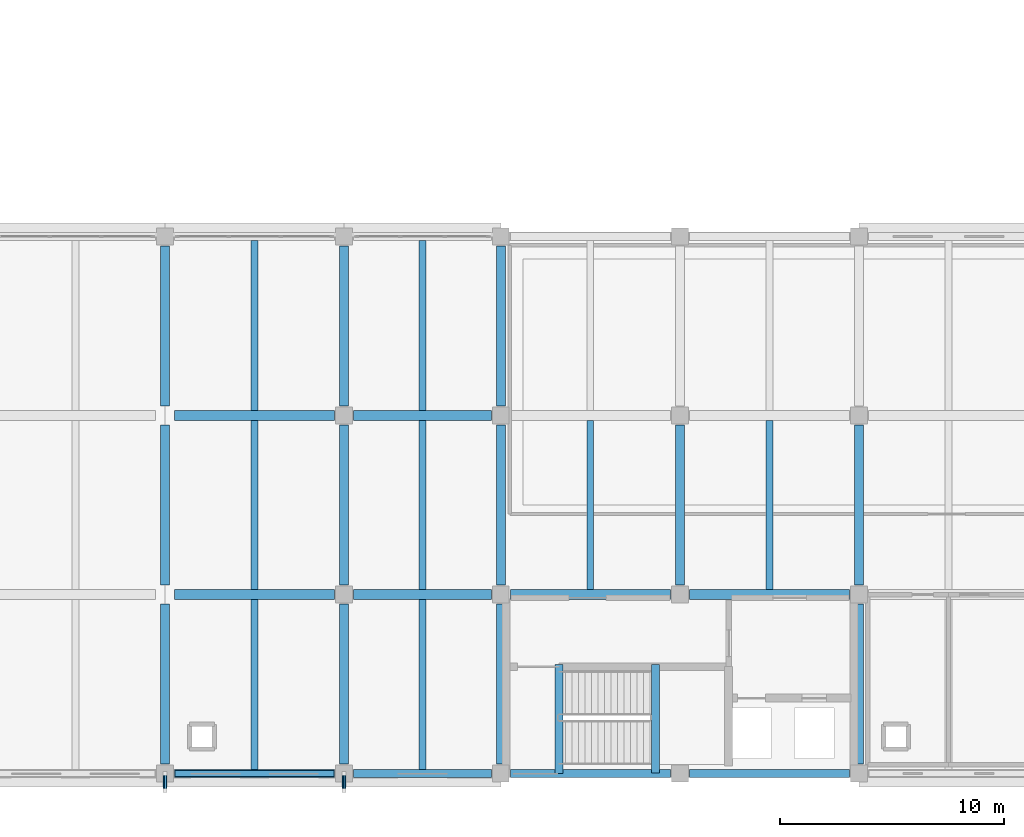
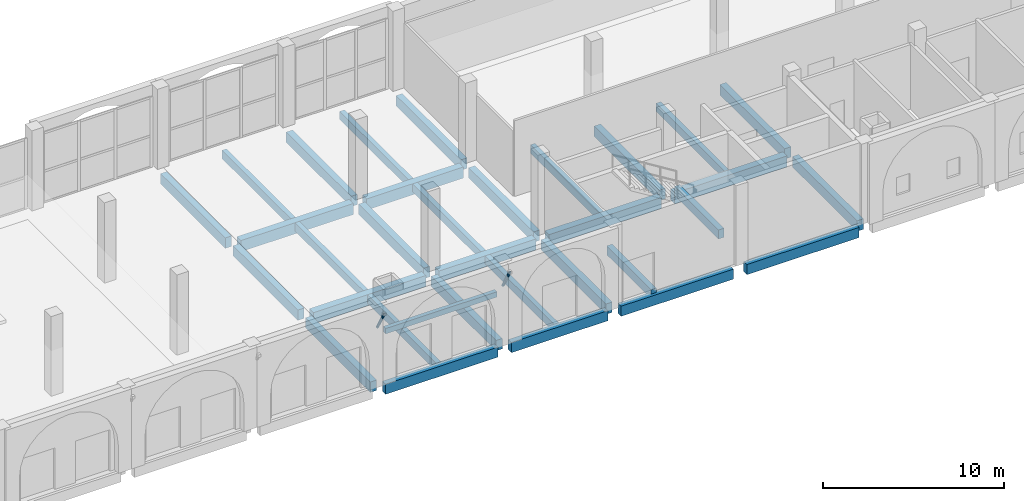
# One storey, part 6 of 40: 33 beams, 2 members.
"""IFC4 building model written with IfcOpenShell, lengths in metres."""

from ifc_helpers import new_model, si_unit, direction, frame, origin, origin_2d, place, context, subcontext, project, spatial, rectangle, hollow_circle, extrude, material, material_profile, profile_set, type_object, element, save


model = new_model("IFC4")

# Units and contexts
model_context = context("Model", 3, precision=1e-05, world=origin(), true_north=direction((0.0, 1.0)))
body_context = subcontext(model_context, "Body", "Model", "MODEL_VIEW")
ifc_project = project(units=[si_unit("LENGTHUNIT", "METRE"), si_unit("AREAUNIT", "SQUARE_METRE"), si_unit("VOLUMEUNIT", "CUBIC_METRE"), si_unit("PLANEANGLEUNIT", "RADIAN"), si_unit("MASSUNIT", "GRAM", prefix="KILO")], contexts=[model_context])

# Site, building, storey
site_placement = place(None, origin())
site = spatial("IfcSite", under=ifc_project, at=site_placement, CompositionType="ELEMENT")
building_placement = place(site_placement, origin())
building = spatial("IfcBuilding", under=site, at=building_placement, Name="Qorikala Patio Media Centre", CompositionType="ELEMENT")
storey_placement = place(building_placement, origin())
storey = spatial("IfcBuildingStorey", under=building, at=storey_placement, Name="L00", CompositionType="ELEMENT", Elevation=0.0)

# Beams
ifc_material_1 = material(Name="Concrete C35/45", Category="concrete")
ifc_material_profile_1 = material_profile(ifc_material_1, rectangle(XDim=0.35009765625, YDim=0.60009765625, at=origin_2d()), Name="RC 350x600")
ifc_profile_set_1 = profile_set([ifc_material_profile_1], Name="Concrete C35/45")
beam_type_1 = type_object("IfcBeamType", Name="BM-G350X600", PredefinedType="BEAM", material=ifc_profile_set_1)
beam_1_placement = place(storey_placement, frame((84.60009765625, 3.0, -0.300048828125), z_axis=(0.0, 1.0, 0.0), x_axis=(-1.0, 0.0, 0.0)))
element("IfcBeam", 1, at=beam_1_placement, inside=storey, type_object=beam_type_1, Name="L00 ST-4 Well Trimmer Beam", PredefinedType="BEAM", context=body_context, shape_type="SweptSolid", body=[
    extrude(rectangle(XDim=0.35009765625, YDim=0.60009765625, at=origin_2d()), origin(), (0.0, 0.0, 1.0), 4.8798828125),
])
beam_2_placement = place(storey_placement, frame((88.909912109375, 3.02001953125, 2.199951171875), z_axis=(0.0, 1.0, 0.0), x_axis=(-1.0, 0.0, 0.0)))
element("IfcBeam", 2, at=beam_2_placement, inside=storey, type_object=beam_type_1, Name="L00 ST-4 Landing Beam 1", PredefinedType="BEAM", context=body_context, shape_type="SweptSolid", body=[
    extrude(rectangle(XDim=0.35009765625, YDim=0.60009765625, at=origin_2d()), origin(), (0.0, 0.0, 1.0), 4.85986328125),
])
ifc_material_profile_2 = material_profile(ifc_material_1, rectangle(XDim=0.39990234375, YDim=0.699951171875, at=origin_2d()), Name="RC 400x700")
ifc_profile_set_2 = profile_set([ifc_material_profile_2], Name="Concrete C35/45")
beam_type_2 = type_object("IfcBeamType", Name="BM-G400X700", PredefinedType="BEAM", material=ifc_profile_set_2)
for number, where, z_axis, x_axis, name in (
    (3, (67.0, 3.425048828125, -0.64990234375), (0.0, 1.0, 0.0), (-1.0, 0.0, 0.0), "L00 Grid X=67 Beam 0245"),
    (4, (67.0, 11.425048828125, -0.64990234375), (0.0, 1.0, 0.0), (-1.0, 0.0, 0.0), "L00 Grid X=67 Beam 0246"),
    (5, (67.0, 19.425048828125, -0.64990234375), (0.0, 1.0, 0.0), (-1.0, 0.0, 0.0), "L00 Grid X=67 Beam 0247"),
    (6, (75.0, 3.425048828125, -0.64990234375), (0.0, 1.0, 0.0), (-1.0, 0.0, 0.0), "L00 Grid X=75 Beam 0254"),
    (7, (75.0, 11.425048828125, -0.64990234375), (0.0, 1.0, 0.0), (-1.0, 0.0, 0.0), "L00 Grid X=75 Beam 0255"),
    (8, (75.0, 19.425048828125, -0.64990234375), (0.0, 1.0, 0.0), (-1.0, 0.0, 0.0), "L00 Grid X=75 Beam 0256"),
    (9, (82.0, 3.425048828125, -0.64990234375), (0.0, 1.0, 0.0), (-1.0, 0.0, 0.0), "L00 Grid X=82 Beam 0263"),
    (10, (82.0, 11.425048828125, -0.64990234375), (0.0, 1.0, 0.0), (-1.0, 0.0, 0.0), "L00 Grid X=82 Beam 0264"),
    (11, (82.0, 19.425048828125, -0.64990234375), (0.0, 1.0, 0.0), (-1.0, 0.0, 0.0), "L00 Grid X=82 Beam 0265"),
    (12, (90.0, 11.425048828125, -0.64990234375), (0.0, 1.0, 0.0), (-1.0, 0.0, 0.0), "L00 Grid X=90 Beam 0266"),
    (13, (98.0, 3.425048828125, -0.64990234375), (0.0, 1.0, 0.0), (-1.0, 0.0, 0.0), "L00 Grid X=98 Beam 0268"),
    (14, (98.0, 11.425048828125, -0.64990234375), (0.0, 1.0, 0.0), (-1.0, 0.0, 0.0), "L00 Grid X=98 Beam 0269"),
):
    element("IfcBeam", number, at=place(storey_placement, frame(where, z_axis=z_axis, x_axis=x_axis)), inside=storey, type_object=beam_type_2, Name=name, PredefinedType="BEAM", context=body_context, shape_type="SweptSolid", body=[
        extrude(rectangle(XDim=0.39990234375, YDim=0.699951171875, at=origin_2d()), origin(), (0.0, 0.0, 1.0), 7.14990234375),
    ])
ifc_material_profile_3 = material_profile(ifc_material_1, rectangle(XDim=0.449951171875, YDim=0.75, at=origin_2d()), Name="RC 450x750")
ifc_profile_set_3 = profile_set([ifc_material_profile_3], Name="Concrete C35/45")
beam_type_3 = type_object("IfcBeamType", Name="BM-G450X750", PredefinedType="BEAM", material=ifc_profile_set_3)
beam_3_placement = place(storey_placement, frame((67.425048828125, 11.0, -0.675048828125), z_axis=(1.0, 0.0, 0.0), x_axis=(0.0, 1.0, 0.0)))
element("IfcBeam", 15, at=beam_3_placement, inside=storey, type_object=beam_type_3, Name="L00 Grid 11 Beam 0030", PredefinedType="BEAM", context=body_context, shape_type="SweptSolid", body=[
    extrude(rectangle(XDim=0.449951171875, YDim=0.75, at=origin_2d()), origin(), (0.0, 0.0, 1.0), 7.14990234375),
])
beam_4_placement = place(storey_placement, frame((75.425048828125, 11.0, -0.675048828125), z_axis=(1.0, 0.0, 0.0), x_axis=(0.0, 1.0, 0.0)))
element("IfcBeam", 16, at=beam_4_placement, inside=storey, type_object=beam_type_3, Name="L00 Grid 11 Beam 0031", PredefinedType="BEAM", context=body_context, shape_type="SweptSolid", body=[
    extrude(rectangle(XDim=0.449951171875, YDim=0.75, at=origin_2d()), origin(), (0.0, 0.0, 1.0), 6.14990234375),
])
for number, where, z_axis, x_axis, name in (
    (17, (82.425048828125, 11.0, -0.675048828125), (1.0, 0.0, 0.0), (0.0, 1.0, 0.0), "L00 Grid 11 Beam 0032"),
    (18, (90.425048828125, 11.0, -0.675048828125), (1.0, 0.0, 0.0), (0.0, 1.0, 0.0), "L00 Grid 11 Beam 0033"),
    (19, (67.425048828125, 19.0, -0.675048828125), (1.0, 0.0, 0.0), (0.0, 1.0, 0.0), "L00 Grid 19 Beam 0051"),
):
    element("IfcBeam", number, at=place(storey_placement, frame(where, z_axis=z_axis, x_axis=x_axis)), inside=storey, type_object=beam_type_3, Name=name, PredefinedType="BEAM", context=body_context, shape_type="SweptSolid", body=[
        extrude(rectangle(XDim=0.449951171875, YDim=0.75, at=origin_2d()), origin(), (0.0, 0.0, 1.0), 7.14990234375),
    ])
beam_5_placement = place(storey_placement, frame((75.425048828125, 19.0, -0.675048828125), z_axis=(1.0, 0.0, 0.0), x_axis=(0.0, 1.0, 0.0)))
element("IfcBeam", 20, at=beam_5_placement, inside=storey, type_object=beam_type_3, Name="L00 Grid 19 Beam 0052", PredefinedType="BEAM", context=body_context, shape_type="SweptSolid", body=[
    extrude(rectangle(XDim=0.449951171875, YDim=0.75, at=origin_2d()), origin(), (0.0, 0.0, 1.0), 6.14990234375),
])

# Members
ifc_material_2 = material(Name="Steel S355", Category="steel")
ifc_material_profile_4 = material_profile(ifc_material_2, hollow_circle(Radius=0.084228515625, WallThickness=0.008056640625, at=origin_2d()), Name="CHS168X8")
ifc_profile_set_4 = profile_set([ifc_material_profile_4], Name="Steel S355")
member_type = type_object("IfcMemberType", Name="BRACE-CHS168", PredefinedType="BRACE", material=ifc_profile_set_4)
for number, where, z_axis, x_axis, name in (
    (21, (67.0, 3.0, 3.60009765625), (0.0, -0.485683201418, 0.874134902552), (1.0, 0.0, 0.0), "Entrance Canopy Knee Brace 6"),
    (22, (75.0, 3.0, 3.60009765625), (0.0, -0.485683201418, 0.874134902552), (1.0, 0.0, 0.0), "Entrance Canopy Knee Brace 7"),
):
    element("IfcMember", number, at=place(storey_placement, frame(where, z_axis=z_axis, x_axis=x_axis)), inside=storey, type_object=member_type, Name=name, PredefinedType="BRACE", context=body_context, shape_type="SweptSolid", body=[
        extrude(hollow_circle(Radius=0.084228515625, WallThickness=0.008056640625, at=origin_2d()), origin(), (0.0, 0.0, 1.0), 1.544189453125),
    ])

# Beams
ifc_material_profile_5 = material_profile(ifc_material_1, rectangle(XDim=0.300048828125, YDim=0.550048828125, at=origin_2d()), Name="RC 300x550")
ifc_profile_set_5 = profile_set([ifc_material_profile_5], Name="Concrete C35/45")
beam_type_4 = type_object("IfcBeamType", Name="JS-300X550", PredefinedType="JOIST", material=ifc_profile_set_5)
beam_6_placement = place(storey_placement, frame((71.0, 3.175048828125, -0.574951171875), z_axis=(0.0, 1.0, 0.0), x_axis=(-1.0, 0.0, 0.0)))
element("IfcBeam", 23, at=beam_6_placement, inside=storey, type_object=beam_type_4, Name="L00 Secondary Joist 0361", PredefinedType="JOIST", context=body_context, shape_type="SweptSolid", body=[
    extrude(rectangle(XDim=0.300048828125, YDim=0.550048828125, at=origin_2d()), origin(), (0.0, 0.0, 1.0), 7.599853515625),
])
beam_7_placement = place(storey_placement, frame((71.0, 11.22509765625, -0.574951171875), z_axis=(0.0, 1.0, 0.0), x_axis=(-1.0, 0.0, 0.0)))
element("IfcBeam", 24, at=beam_7_placement, inside=storey, type_object=beam_type_4, Name="L00 Secondary Joist 0362", PredefinedType="JOIST", context=body_context, shape_type="SweptSolid", body=[
    extrude(rectangle(XDim=0.300048828125, YDim=0.550048828125, at=origin_2d()), origin(), (0.0, 0.0, 1.0), 7.5498046875),
])
for number, where, z_axis, x_axis, name in (
    (25, (71.0, 19.22509765625, -0.574951171875), (0.0, 1.0, 0.0), (-1.0, 0.0, 0.0), "L00 Secondary Joist 0363"),
    (26, (78.5, 3.175048828125, -0.574951171875), (0.0, 1.0, 0.0), (-1.0, 0.0, 0.0), "L00 Secondary Joist 0370"),
):
    element("IfcBeam", number, at=place(storey_placement, frame(where, z_axis=z_axis, x_axis=x_axis)), inside=storey, type_object=beam_type_4, Name=name, PredefinedType="JOIST", context=body_context, shape_type="SweptSolid", body=[
        extrude(rectangle(XDim=0.300048828125, YDim=0.550048828125, at=origin_2d()), origin(), (0.0, 0.0, 1.0), 7.599853515625),
    ])
beam_8_placement = place(storey_placement, frame((78.5, 11.22509765625, -0.574951171875), z_axis=(0.0, 1.0, 0.0), x_axis=(-1.0, 0.0, 0.0)))
element("IfcBeam", 27, at=beam_8_placement, inside=storey, type_object=beam_type_4, Name="L00 Secondary Joist 0371", PredefinedType="JOIST", context=body_context, shape_type="SweptSolid", body=[
    extrude(rectangle(XDim=0.300048828125, YDim=0.550048828125, at=origin_2d()), origin(), (0.0, 0.0, 1.0), 7.5498046875),
])
beam_9_placement = place(storey_placement, frame((78.5, 19.22509765625, -0.574951171875), z_axis=(0.0, 1.0, 0.0), x_axis=(-1.0, 0.0, 0.0)))
element("IfcBeam", 28, at=beam_9_placement, inside=storey, type_object=beam_type_4, Name="L00 Secondary Joist 0372", PredefinedType="JOIST", context=body_context, shape_type="SweptSolid", body=[
    extrude(rectangle(XDim=0.300048828125, YDim=0.550048828125, at=origin_2d()), origin(), (0.0, 0.0, 1.0), 7.599853515625),
])
for number, where, z_axis, x_axis, name in (
    (29, (86.0, 11.22509765625, -0.574951171875), (0.0, 1.0, 0.0), (-1.0, 0.0, 0.0), "L00 Secondary Joist 0373"),
    (30, (94.0, 11.22509765625, -0.574951171875), (0.0, 1.0, 0.0), (-1.0, 0.0, 0.0), "L00 Secondary Joist 0375"),
):
    element("IfcBeam", number, at=place(storey_placement, frame(where, z_axis=z_axis, x_axis=x_axis)), inside=storey, type_object=beam_type_4, Name=name, PredefinedType="JOIST", context=body_context, shape_type="SweptSolid", body=[
        extrude(rectangle(XDim=0.300048828125, YDim=0.550048828125, at=origin_2d()), origin(), (0.0, 0.0, 1.0), 7.5498046875),
    ])
ifc_material_3 = material(Name="Precast concrete C40/50", Category="concrete")
ifc_material_profile_6 = material_profile(ifc_material_3, rectangle(XDim=0.260009765625, YDim=0.360107421875, at=origin_2d()), Name="RC 260x360")
ifc_profile_set_6 = profile_set([ifc_material_profile_6], Name="Precast concrete C40/50")
beam_type_5 = type_object("IfcBeamType", Name="LN-260X360", PredefinedType="LINTEL", material=ifc_profile_set_6)
beam_10_placement = place(storey_placement, frame((67.449951171875, 3.0, 3.22998046875), z_axis=(1.0, 0.0, 0.0), x_axis=(0.0, 1.0, 0.0)))
element("IfcBeam", 31, at=beam_10_placement, inside=storey, type_object=beam_type_5, Name="L00 Precast Arcade Lintel 06", PredefinedType="LINTEL", context=body_context, shape_type="SweptSolid", body=[
    extrude(rectangle(XDim=0.260009765625, YDim=0.360107421875, at=origin_2d()), origin(), (0.0, 0.0, 1.0), 7.10009765625),
])
ifc_material_profile_7 = material_profile(ifc_material_1, rectangle(XDim=0.35009765625, YDim=0.679931640625, at=origin_2d()), Name="RC 350x680")
ifc_profile_set_7 = profile_set([ifc_material_profile_7], Name="Concrete C35/45")
beam_type_6 = type_object("IfcBeamType", Name="SP-350X680", PredefinedType="SPANDREL", material=ifc_profile_set_7)
beam_11_placement = place(storey_placement, frame((67.425048828125, 3.0, -0.639892578125), z_axis=(1.0, 0.0, 0.0), x_axis=(0.0, 1.0, 0.0)))
element("IfcBeam", 32, at=beam_11_placement, inside=storey, type_object=beam_type_6, Name="L00 Grid 3 Beam 0009", PredefinedType="SPANDREL", context=body_context, shape_type="SweptSolid", body=[
    extrude(rectangle(XDim=0.35009765625, YDim=0.679931640625, at=origin_2d()), origin(), (0.0, 0.0, 1.0), 7.14990234375),
])
beam_12_placement = place(storey_placement, frame((75.425048828125, 3.0, -0.639892578125), z_axis=(1.0, 0.0, 0.0), x_axis=(0.0, 1.0, 0.0)))
element("IfcBeam", 33, at=beam_12_placement, inside=storey, type_object=beam_type_6, Name="L00 Grid 3 Beam 0010", PredefinedType="SPANDREL", context=body_context, shape_type="SweptSolid", body=[
    extrude(rectangle(XDim=0.35009765625, YDim=0.679931640625, at=origin_2d()), origin(), (0.0, 0.0, 1.0), 6.14990234375),
])
for number, where, z_axis, x_axis, name in (
    (34, (82.425048828125, 3.0, -0.639892578125), (1.0, 0.0, 0.0), (0.0, 1.0, 0.0), "L00 Grid 3 Beam 0011"),
    (35, (90.425048828125, 3.0, -0.639892578125), (1.0, 0.0, 0.0), (0.0, 1.0, 0.0), "L00 Grid 3 Beam 0012"),
):
    element("IfcBeam", number, at=place(storey_placement, frame(where, z_axis=z_axis, x_axis=x_axis)), inside=storey, type_object=beam_type_6, Name=name, PredefinedType="SPANDREL", context=body_context, shape_type="SweptSolid", body=[
        extrude(rectangle(XDim=0.35009765625, YDim=0.679931640625, at=origin_2d()), origin(), (0.0, 0.0, 1.0), 7.14990234375),
    ])

save(model, "model.ifc")
